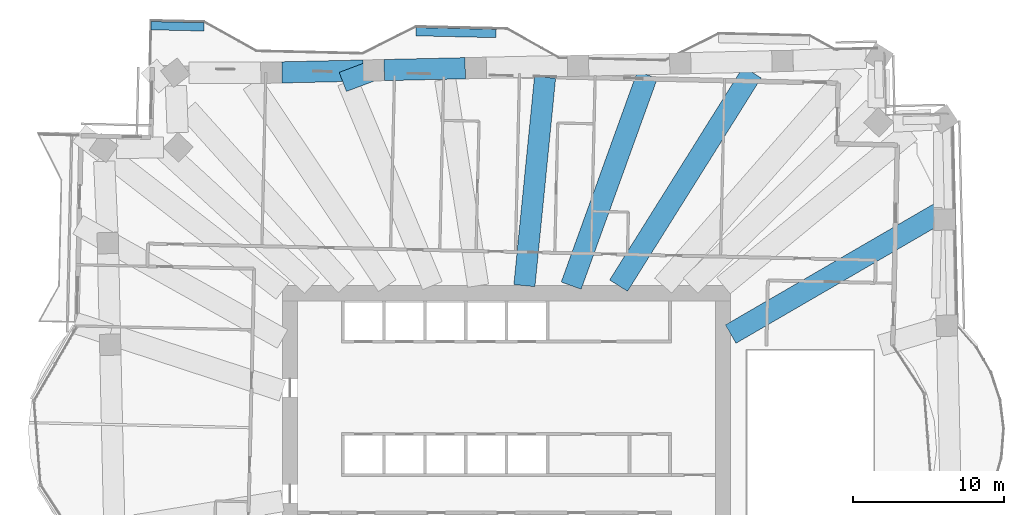
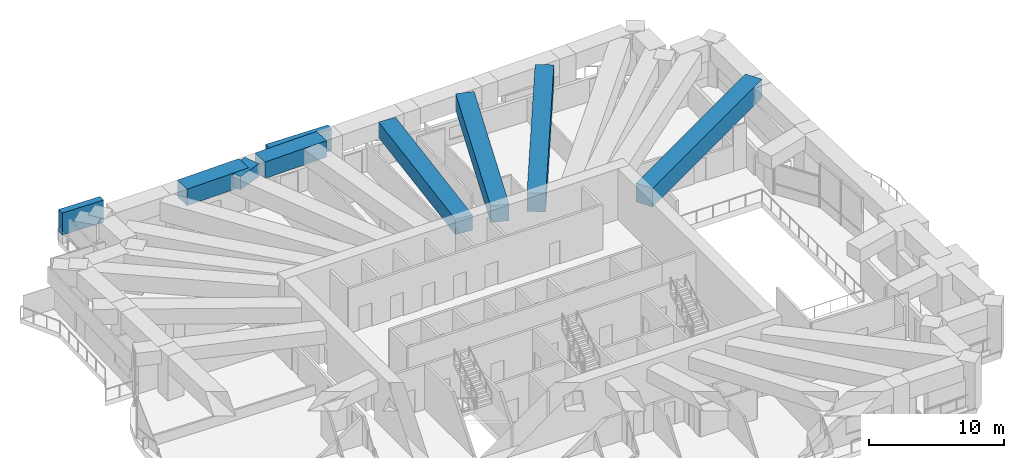
# One storey, part 6 of 20: 7 beams, 2 members.
"""IFC4 building model written with IfcOpenShell, lengths in metres."""

from ifc_helpers import new_model, si_unit, direction, frame, origin, origin_2d, place, context, subcontext, project, spatial, rectangle, extrude, material, material_profile, profile_set, type_object, element, save


model = new_model("IFC4")

# Units and contexts
model_context = context("Model", 3, precision=1e-05, world=origin(), true_north=direction((0.0, 1.0)))
body_context = subcontext(model_context, "Body", "Model", "MODEL_VIEW")
ifc_project = project(units=[si_unit("LENGTHUNIT", "METRE"), si_unit("AREAUNIT", "SQUARE_METRE"), si_unit("VOLUMEUNIT", "CUBIC_METRE"), si_unit("PLANEANGLEUNIT", "RADIAN"), si_unit("MASSUNIT", "GRAM", prefix="KILO")], contexts=[model_context])

# Site, building, storey
site_placement = place(None, origin())
site = spatial("IfcSite", under=ifc_project, at=site_placement, CompositionType="ELEMENT")
building_placement = place(site_placement, origin())
building = spatial("IfcBuilding", under=site, at=building_placement, Name="Mangrove Gate Tower", CompositionType="ELEMENT")
storey_placement = place(building_placement, frame((0.0, 0.0, 97.300048828125)))
storey = spatial("IfcBuildingStorey", under=building, at=storey_placement, Name="L24", CompositionType="ELEMENT", Elevation=97.300048828125)

# Members
ifc_material_1 = material(Name="Planting on aluminium trellis", Category="aluminium")
ifc_material_profile_1 = material_profile(ifc_material_1, rectangle(XDim=0.550048828125, YDim=2.0, at=origin_2d()))
ifc_profile_set_1 = profile_set([ifc_material_profile_1], Name="Planting on aluminium trellis")
member_type = type_object("IfcMemberType", Name="Balcony greenery screen 550x2000", PredefinedType="USERDEFINED", material=ifc_profile_set_1)
member_1_placement = place(storey_placement, frame((-23.489990234375, 28.968994140625, 1.800048828125), z_axis=(0.999738950566, -0.022847991624, 0.0), x_axis=(0.022847991624, 0.999738950566, 0.0)))
element("IfcMember", 1, at=member_1_placement, inside=storey, type_object=member_type, Name="GREEN SCREEN L24 N1.1", ObjectType="PLANTING", PredefinedType="USERDEFINED", context=body_context, shape_type="SweptSolid", body=[
    extrude(rectangle(XDim=0.550048828125, YDim=2.0, at=origin_2d()), origin(), (0.0, 0.0, 1.0), 3.5048828125),
])
member_2_placement = place(storey_placement, frame((-5.989990234375, 28.572021484375, 1.800048828125), z_axis=(0.999738998067, -0.022845913063, 0.0), x_axis=(0.022845913063, 0.999738998067, 0.0)))
element("IfcMember", 2, at=member_2_placement, inside=storey, type_object=member_type, Name="GREEN SCREEN L24 N1.2", ObjectType="PLANTING", PredefinedType="USERDEFINED", context=body_context, shape_type="SweptSolid", body=[
    extrude(rectangle(XDim=0.550048828125, YDim=2.0, at=origin_2d()), origin(), (0.0, 0.0, 1.0), 5.300537109375),
])

# Beams
ifc_material_2 = material(Name="Concrete C70/85", Category="concrete")
ifc_material_profile_2 = material_profile(ifc_material_2, rectangle(XDim=1.35009765625, YDim=1.199951171875, at=origin_2d()))
ifc_profile_set_2 = profile_set([ifc_material_profile_2], Name="Concrete C70/85")
beam_type_1 = type_object("IfcBeamType", Name="Transfer girder RC 1350x1200 C70/85", PredefinedType="BEAM", material=ifc_profile_set_2)
beam_1_placement = place(storey_placement, frame((-8.78515625, 26.020263671875, 3.449951171875), z_axis=(-0.9356766143, -0.352858715994, 0.0), x_axis=(0.352858715994, -0.9356766143, 0.0)))
element("IfcBeam", 3, at=beam_1_placement, inside=storey, type_object=beam_type_1, Name="Transfer edge girder L24 25", PredefinedType="BEAM", context=body_context, shape_type="SweptSolid", body=[
    extrude(rectangle(XDim=1.35009765625, YDim=1.199951171875, at=origin_2d()), origin(), (0.0, 0.0, 1.0), 2.17333984375),
])
ifc_material_3 = material(Name="Concrete C70/85", Category="concrete")
ifc_material_profile_3 = material_profile(ifc_material_3, rectangle(XDim=1.39990234375, YDim=1.39990234375, at=origin_2d()))
ifc_profile_set_3 = profile_set([ifc_material_profile_3], Name="Concrete C70/85")
beam_type_2 = type_object("IfcBeamType", Name="Transfer girder RC 1400x1400 C70/85", PredefinedType="BEAM", material=ifc_profile_set_3)
beam_2_placement = place(storey_placement, frame((1.17236328125, 11.800048828125, 3.349853515625), z_axis=(0.09886927273, 0.995100430565, 0.0), x_axis=(-0.995100430565, 0.09886927273, 0.0)))
element("IfcBeam", 4, at=beam_2_placement, inside=storey, type_object=beam_type_2, Name="Transfer girder L24 23", PredefinedType="BEAM", context=body_context, shape_type="SweptSolid", body=[
    extrude(rectangle(XDim=1.39990234375, YDim=1.39990234375, at=origin_2d()), origin(), (0.0, 0.0, 1.0), 13.830810546875),
])
ifc_material_4 = material(Name="Concrete C70/85", Category="concrete")
ifc_material_profile_4 = material_profile(ifc_material_4, rectangle(XDim=1.39990234375, YDim=1.5, at=origin_2d()))
ifc_profile_set_4 = profile_set([ifc_material_profile_4], Name="Concrete C70/85")
beam_type_3 = type_object("IfcBeamType", Name="Transfer girder RC 1400x1500 C70/85", PredefinedType="BEAM", material=ifc_profile_set_4)
beam_3_placement = place(storey_placement, frame((-2.73388671875, 26.158203125, 3.300048828125), z_axis=(-0.999739924711, -0.022805326993, 0.0), x_axis=(0.022805326993, -0.999739924711, 0.0)))
element("IfcBeam", 5, at=beam_3_placement, inside=storey, type_object=beam_type_3, Name="Transfer ring girder L24 24", PredefinedType="BEAM", context=body_context, shape_type="SweptSolid", body=[
    extrude(rectangle(XDim=1.39990234375, YDim=1.5, at=origin_2d()), origin(), (0.0, 0.0, 1.0), 5.352783203125),
])
beam_4_placement = place(storey_placement, frame((-9.48486328125, 26.00439453125, 3.300048828125), z_axis=(-0.999743152201, -0.022663398406, 0.0), x_axis=(0.022663398406, -0.999743152201, 0.0)))
element("IfcBeam", 6, at=beam_4_placement, inside=storey, type_object=beam_type_3, Name="Transfer ring girder L24 25", PredefinedType="BEAM", context=body_context, shape_type="SweptSolid", body=[
    extrude(rectangle(XDim=1.39990234375, YDim=1.5, at=origin_2d()), origin(), (0.0, 0.0, 1.0), 5.35400390625),
])
beam_5_placement = place(storey_placement, frame((4.264404296875, 11.800048828125, 3.300048828125), z_axis=(0.339877892863, 0.940469573109, 0.0), x_axis=(-0.940469573109, 0.339877892863, 0.0)))
element("IfcBeam", 7, at=beam_5_placement, inside=storey, type_object=beam_type_3, Name="Transfer girder L24 22", PredefinedType="BEAM", context=body_context, shape_type="SweptSolid", body=[
    extrude(rectangle(XDim=1.39990234375, YDim=1.5, at=origin_2d()), origin(), (0.0, 0.0, 1.0), 14.80322265625),
])
ifc_material_5 = material(Name="Concrete C70/85", Category="concrete")
ifc_material_profile_5 = material_profile(ifc_material_5, rectangle(XDim=1.39990234375, YDim=1.699951171875, at=origin_2d()))
ifc_profile_set_5 = profile_set([ifc_material_profile_5], Name="Concrete C70/85")
beam_type_4 = type_object("IfcBeamType", Name="Transfer girder RC 1400x1700 C70/85", PredefinedType="BEAM", material=ifc_profile_set_5)
beam_6_placement = place(storey_placement, frame((14.800048828125, 8.598388671875, 3.199951171875), z_axis=(0.864664224359, 0.502350255413, 0.0), x_axis=(-0.502350255413, 0.864664224359, 0.0)))
element("IfcBeam", 8, at=beam_6_placement, inside=storey, type_object=beam_type_4, Name="Transfer girder L24 17", PredefinedType="BEAM", context=body_context, shape_type="SweptSolid", body=[
    extrude(rectangle(XDim=1.39990234375, YDim=1.699951171875, at=origin_2d()), origin(), (0.0, 0.0, 1.0), 16.318359375),
])
beam_7_placement = place(storey_placement, frame((7.39306640625, 11.800048828125, 3.199951171875), z_axis=(0.530928067415, 0.847416891047, 0.0), x_axis=(-0.847416891047, 0.530928067415, 0.0)))
element("IfcBeam", 9, at=beam_7_placement, inside=storey, type_object=beam_type_4, Name="Transfer girder L24 21", PredefinedType="BEAM", context=body_context, shape_type="SweptSolid", body=[
    extrude(rectangle(XDim=1.39990234375, YDim=1.699951171875, at=origin_2d()), origin(), (0.0, 0.0, 1.0), 16.622314453125),
])

save(model, "model.ifc")
